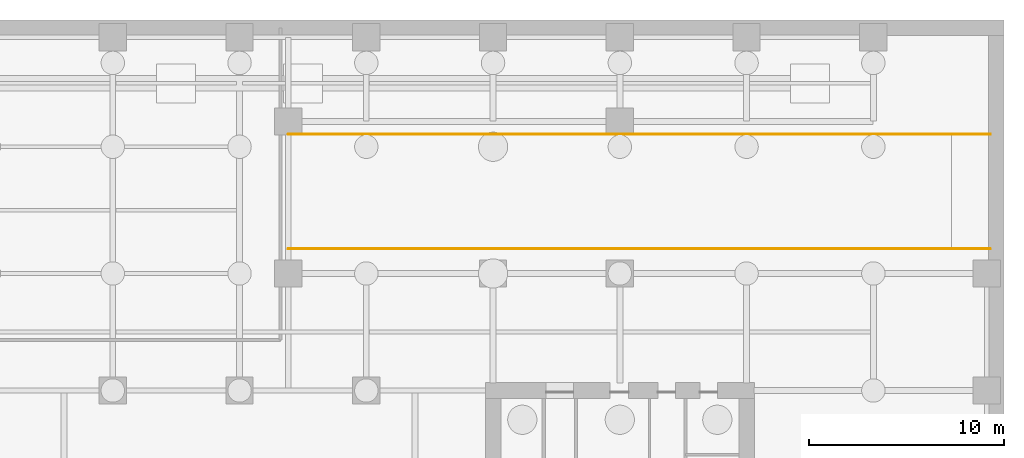
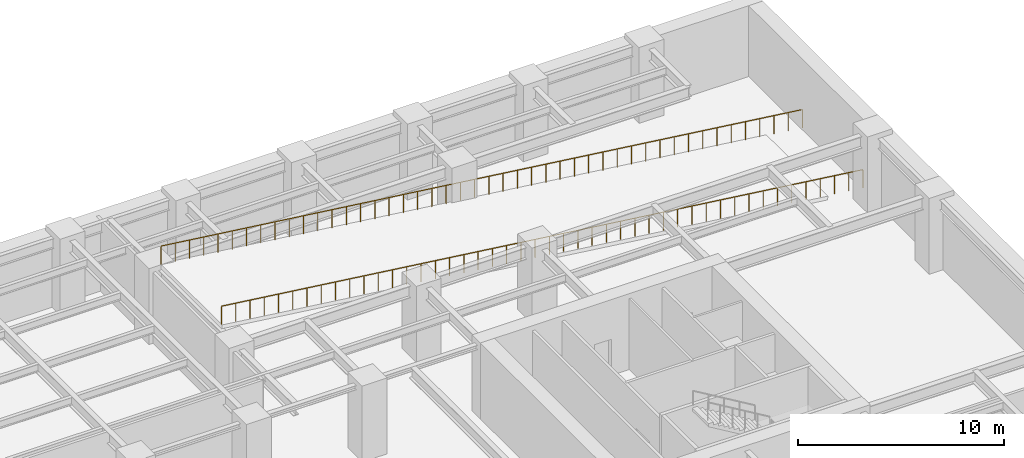
# One storey, part 10 of 11: 2 railings.
"""IFC4 building model written with IfcOpenShell, lengths in metres."""

from ifc_helpers import new_model, si_unit, direction, frame, origin, origin_2d, place, context, subcontext, project, spatial, circle, extrude, material, type_object, element, save


model = new_model("IFC4")

# Units and contexts
model_context = context("Model", 3, precision=1e-05, world=origin(), true_north=direction((0.0, 1.0)))
body_context = subcontext(model_context, "Body", "Model", "MODEL_VIEW")
ifc_project = project(units=[si_unit("LENGTHUNIT", "METRE"), si_unit("AREAUNIT", "SQUARE_METRE"), si_unit("VOLUMEUNIT", "CUBIC_METRE"), si_unit("PLANEANGLEUNIT", "RADIAN"), si_unit("MASSUNIT", "GRAM", prefix="KILO")], contexts=[model_context])

# Site, building, storey
site_placement = place(None, origin())
site = spatial("IfcSite", under=ifc_project, at=site_placement, CompositionType="ELEMENT")
building_placement = place(site_placement, origin())
building = spatial("IfcBuilding", under=site, at=building_placement, Name="Putna Gate Headquarters", CompositionType="ELEMENT")
storey_placement = place(building_placement, frame((0.0, 0.0, -13.5)))
storey = spatial("IfcBuildingStorey", under=building, at=storey_placement, Name="B03", CompositionType="ELEMENT", Elevation=-13.5)

# Railings
ifc_material = material(Name="Powder-coated steel stair guardrail", Category="steel")
railing_type = type_object("IfcRailingType", Name="RAIL-STAIR-GUARD-1100", PredefinedType="GUARDRAIL", material=ifc_material)
railing_1_placement = place(storey_placement, frame((77.5, 40.260009765625, 0.0)))
element("IfcRailing", 1, at=railing_1_placement, inside=storey, type_object=railing_type, Name="B03 Sloped Vehicle Ramp Flight Guardrail S", PredefinedType="GUARDRAIL", context=body_context, shape_type="SweptSolid", body=[
    extrude(circle(Radius=0.02392578125, at=origin_2d()), frame((0.0, 0.0, 1.076171875), z_axis=(-0.992277876714, 0.0, 0.124034734589), x_axis=(0.0, -1.0, 0.0)), (0.0, 0.0, 1.0), 4.03125),
    extrude(circle(Radius=0.02392578125, at=origin_2d()), frame((-4.0, 0.0, 1.576171875), z_axis=(-0.992277876714, 0.0, 0.124034734589), x_axis=(0.0, -1.0, 0.0)), (0.0, 0.0, 1.0), 4.03125),
    extrude(circle(Radius=0.02392578125, at=origin_2d()), frame((-8.0, 0.0, 2.076171875), z_axis=(-0.992277876714, 0.0, 0.124034734589), x_axis=(0.0, -1.0, 0.0)), (0.0, 0.0, 1.0), 4.03125),
    extrude(circle(Radius=0.02392578125, at=origin_2d()), frame((-12.0, 0.0, 2.576171875), z_axis=(-0.992277876714, 0.0, 0.124034734589), x_axis=(0.0, -1.0, 0.0)), (0.0, 0.0, 1.0), 4.03125),
    extrude(circle(Radius=0.02392578125, at=origin_2d()), frame((-16.0, 0.0, 3.076171875), z_axis=(-0.992277876714, 0.0, 0.124034734589), x_axis=(0.0, -1.0, 0.0)), (0.0, 0.0, 1.0), 4.03125),
    extrude(circle(Radius=0.02392578125, at=origin_2d()), frame((-20.0, 0.0, 3.576171875), z_axis=(-0.992277876714, 0.0, 0.124034734589), x_axis=(0.0, -1.0, 0.0)), (0.0, 0.0, 1.0), 4.03125),
    extrude(circle(Radius=0.02392578125, at=origin_2d()), frame((-24.0, 0.0, 4.076171875), z_axis=(-0.992277876714, 0.0, 0.124034734589), x_axis=(0.0, -1.0, 0.0)), (0.0, 0.0, 1.0), 4.03125),
    extrude(circle(Radius=0.02392578125, at=origin_2d()), frame((-28.0, 0.0, 4.576171875), z_axis=(-0.992277876714, 0.0, 0.124034734589), x_axis=(0.0, -1.0, 0.0)), (0.0, 0.0, 1.0), 4.03125),
    extrude(circle(Radius=0.02392578125, at=origin_2d()), frame((-32.0, 0.0, 5.076171875), z_axis=(-0.992277876714, 0.0, 0.124034734589), x_axis=(0.0, -1.0, 0.0)), (0.0, 0.0, 1.0), 4.03125),
    extrude(circle(Radius=0.02099609375, at=origin_2d()), origin(), (0.0, 0.0, 1.0), 1.052001953125),
    extrude(circle(Radius=0.02099609375, at=origin_2d()), frame((-0.800048828125, 0.0, 0.10009765625)), (0.0, 0.0, 1.0), 1.052001953125),
    extrude(circle(Radius=0.02099609375, at=origin_2d()), frame((-1.60009765625, 0.0, 0.199951171875)), (0.0, 0.0, 1.0), 1.052001953125),
    extrude(circle(Radius=0.02099609375, at=origin_2d()), frame((-2.39990234375, 0.0, 0.300048828125)), (0.0, 0.0, 1.0), 1.052001953125),
    extrude(circle(Radius=0.02099609375, at=origin_2d()), frame((-3.199951171875, 0.0, 0.39990234375)), (0.0, 0.0, 1.0), 1.052001953125),
    extrude(circle(Radius=0.02099609375, at=origin_2d()), frame((-4.0, 0.0, 0.5)), (0.0, 0.0, 1.0), 1.052001953125),
    extrude(circle(Radius=0.02099609375, at=origin_2d()), frame((-4.800048828125, 0.0, 0.60009765625)), (0.0, 0.0, 1.0), 1.052001953125),
    extrude(circle(Radius=0.02099609375, at=origin_2d()), frame((-5.60009765625, 0.0, 0.699951171875)), (0.0, 0.0, 1.0), 1.052001953125),
    extrude(circle(Radius=0.02099609375, at=origin_2d()), frame((-6.39990234375, 0.0, 0.800048828125)), (0.0, 0.0, 1.0), 1.052001953125),
    extrude(circle(Radius=0.02099609375, at=origin_2d()), frame((-7.199951171875, 0.0, 0.89990234375)), (0.0, 0.0, 1.0), 1.052001953125),
    extrude(circle(Radius=0.02099609375, at=origin_2d()), frame((-8.0, 0.0, 1.0)), (0.0, 0.0, 1.0), 1.052001953125),
    extrude(circle(Radius=0.02099609375, at=origin_2d()), frame((-8.800048828125, 0.0, 1.10009765625)), (0.0, 0.0, 1.0), 1.052001953125),
    extrude(circle(Radius=0.02099609375, at=origin_2d()), frame((-9.60009765625, 0.0, 1.199951171875)), (0.0, 0.0, 1.0), 1.052001953125),
    extrude(circle(Radius=0.02099609375, at=origin_2d()), frame((-10.39990234375, 0.0, 1.300048828125)), (0.0, 0.0, 1.0), 1.052001953125),
    extrude(circle(Radius=0.02099609375, at=origin_2d()), frame((-11.199951171875, 0.0, 1.39990234375)), (0.0, 0.0, 1.0), 1.052001953125),
    extrude(circle(Radius=0.02099609375, at=origin_2d()), frame((-12.0, 0.0, 1.5)), (0.0, 0.0, 1.0), 1.052001953125),
    extrude(circle(Radius=0.02099609375, at=origin_2d()), frame((-12.800048828125, 0.0, 1.60009765625)), (0.0, 0.0, 1.0), 1.052001953125),
    extrude(circle(Radius=0.02099609375, at=origin_2d()), frame((-13.60009765625, 0.0, 1.699951171875)), (0.0, 0.0, 1.0), 1.052001953125),
    extrude(circle(Radius=0.02099609375, at=origin_2d()), frame((-14.39990234375, 0.0, 1.800048828125)), (0.0, 0.0, 1.0), 1.052001953125),
    extrude(circle(Radius=0.02099609375, at=origin_2d()), frame((-15.199951171875, 0.0, 1.89990234375)), (0.0, 0.0, 1.0), 1.052001953125),
    extrude(circle(Radius=0.02099609375, at=origin_2d()), frame((-16.0, 0.0, 2.0)), (0.0, 0.0, 1.0), 1.052001953125),
    extrude(circle(Radius=0.02099609375, at=origin_2d()), frame((-16.800048828125, 0.0, 2.10009765625)), (0.0, 0.0, 1.0), 1.052001953125),
    extrude(circle(Radius=0.02099609375, at=origin_2d()), frame((-17.60009765625, 0.0, 2.199951171875)), (0.0, 0.0, 1.0), 1.052001953125),
    extrude(circle(Radius=0.02099609375, at=origin_2d()), frame((-18.39990234375, 0.0, 2.300048828125)), (0.0, 0.0, 1.0), 1.052001953125),
    extrude(circle(Radius=0.02099609375, at=origin_2d()), frame((-19.199951171875, 0.0, 2.39990234375)), (0.0, 0.0, 1.0), 1.052001953125),
    extrude(circle(Radius=0.02099609375, at=origin_2d()), frame((-20.0, 0.0, 2.5)), (0.0, 0.0, 1.0), 1.052001953125),
    extrude(circle(Radius=0.02099609375, at=origin_2d()), frame((-20.800048828125, 0.0, 2.60009765625)), (0.0, 0.0, 1.0), 1.052001953125),
    extrude(circle(Radius=0.02099609375, at=origin_2d()), frame((-21.60009765625, 0.0, 2.699951171875)), (0.0, 0.0, 1.0), 1.052001953125),
    extrude(circle(Radius=0.02099609375, at=origin_2d()), frame((-22.39990234375, 0.0, 2.800048828125)), (0.0, 0.0, 1.0), 1.052001953125),
    extrude(circle(Radius=0.02099609375, at=origin_2d()), frame((-23.199951171875, 0.0, 2.89990234375)), (0.0, 0.0, 1.0), 1.052001953125),
    extrude(circle(Radius=0.02099609375, at=origin_2d()), frame((-24.0, 0.0, 3.0)), (0.0, 0.0, 1.0), 1.052001953125),
    extrude(circle(Radius=0.02099609375, at=origin_2d()), frame((-24.800048828125, 0.0, 3.10009765625)), (0.0, 0.0, 1.0), 1.052001953125),
    extrude(circle(Radius=0.02099609375, at=origin_2d()), frame((-25.60009765625, 0.0, 3.199951171875)), (0.0, 0.0, 1.0), 1.052001953125),
    extrude(circle(Radius=0.02099609375, at=origin_2d()), frame((-26.39990234375, 0.0, 3.300048828125)), (0.0, 0.0, 1.0), 1.052001953125),
    extrude(circle(Radius=0.02099609375, at=origin_2d()), frame((-27.199951171875, 0.0, 3.39990234375)), (0.0, 0.0, 1.0), 1.052001953125),
    extrude(circle(Radius=0.02099609375, at=origin_2d()), frame((-28.0, 0.0, 3.5)), (0.0, 0.0, 1.0), 1.052001953125),
    extrude(circle(Radius=0.02099609375, at=origin_2d()), frame((-28.800048828125, 0.0, 3.60009765625)), (0.0, 0.0, 1.0), 1.052001953125),
    extrude(circle(Radius=0.02099609375, at=origin_2d()), frame((-29.60009765625, 0.0, 3.699951171875)), (0.0, 0.0, 1.0), 1.052001953125),
    extrude(circle(Radius=0.02099609375, at=origin_2d()), frame((-30.39990234375, 0.0, 3.800048828125)), (0.0, 0.0, 1.0), 1.052001953125),
    extrude(circle(Radius=0.02099609375, at=origin_2d()), frame((-31.199951171875, 0.0, 3.89990234375)), (0.0, 0.0, 1.0), 1.052001953125),
    extrude(circle(Radius=0.02099609375, at=origin_2d()), frame((-32.0, 0.0, 4.0)), (0.0, 0.0, 1.0), 1.052001953125),
    extrude(circle(Radius=0.02099609375, at=origin_2d()), frame((-32.800048828125, 0.0, 4.10009765625)), (0.0, 0.0, 1.0), 1.052001953125),
    extrude(circle(Radius=0.02099609375, at=origin_2d()), frame((-33.60009765625, 0.0, 4.199951171875)), (0.0, 0.0, 1.0), 1.052001953125),
    extrude(circle(Radius=0.02099609375, at=origin_2d()), frame((-34.39990234375, 0.0, 4.300048828125)), (0.0, 0.0, 1.0), 1.052001953125),
    extrude(circle(Radius=0.02099609375, at=origin_2d()), frame((-35.199951171875, 0.0, 4.39990234375)), (0.0, 0.0, 1.0), 1.052001953125),
    extrude(circle(Radius=0.02099609375, at=origin_2d()), frame((-36.0, 0.0, 4.5)), (0.0, 0.0, 1.0), 1.052001953125),
])
railing_2_placement = place(storey_placement, frame((77.5, 46.139892578125, 0.0)))
element("IfcRailing", 2, at=railing_2_placement, inside=storey, type_object=railing_type, Name="B03 Sloped Vehicle Ramp Flight Guardrail N", PredefinedType="GUARDRAIL", context=body_context, shape_type="SweptSolid", body=[
    extrude(circle(Radius=0.02392578125, at=origin_2d()), frame((0.0, 0.0, 1.076171875), z_axis=(-0.992277876714, 0.0, 0.124034734589), x_axis=(0.0, -1.0, 0.0)), (0.0, 0.0, 1.0), 4.03125),
    extrude(circle(Radius=0.02392578125, at=origin_2d()), frame((-4.0, 0.0, 1.576171875), z_axis=(-0.992277876714, 0.0, 0.124034734589), x_axis=(0.0, -1.0, 0.0)), (0.0, 0.0, 1.0), 4.03125),
    extrude(circle(Radius=0.02392578125, at=origin_2d()), frame((-8.0, 0.0, 2.076171875), z_axis=(-0.992277876714, 0.0, 0.124034734589), x_axis=(0.0, -1.0, 0.0)), (0.0, 0.0, 1.0), 4.03125),
    extrude(circle(Radius=0.02392578125, at=origin_2d()), frame((-12.0, 0.0, 2.576171875), z_axis=(-0.992277876714, 0.0, 0.124034734589), x_axis=(0.0, -1.0, 0.0)), (0.0, 0.0, 1.0), 4.03125),
    extrude(circle(Radius=0.02392578125, at=origin_2d()), frame((-16.0, 0.0, 3.076171875), z_axis=(-0.992277876714, 0.0, 0.124034734589), x_axis=(0.0, -1.0, 0.0)), (0.0, 0.0, 1.0), 4.03125),
    extrude(circle(Radius=0.02392578125, at=origin_2d()), frame((-20.0, 0.0, 3.576171875), z_axis=(-0.992277876714, 0.0, 0.124034734589), x_axis=(0.0, -1.0, 0.0)), (0.0, 0.0, 1.0), 4.03125),
    extrude(circle(Radius=0.02392578125, at=origin_2d()), frame((-24.0, 0.0, 4.076171875), z_axis=(-0.992277876714, 0.0, 0.124034734589), x_axis=(0.0, -1.0, 0.0)), (0.0, 0.0, 1.0), 4.03125),
    extrude(circle(Radius=0.02392578125, at=origin_2d()), frame((-28.0, 0.0, 4.576171875), z_axis=(-0.992277876714, 0.0, 0.124034734589), x_axis=(0.0, -1.0, 0.0)), (0.0, 0.0, 1.0), 4.03125),
    extrude(circle(Radius=0.02392578125, at=origin_2d()), frame((-32.0, 0.0, 5.076171875), z_axis=(-0.992277876714, 0.0, 0.124034734589), x_axis=(0.0, -1.0, 0.0)), (0.0, 0.0, 1.0), 4.03125),
    extrude(circle(Radius=0.02099609375, at=origin_2d()), origin(), (0.0, 0.0, 1.0), 1.052001953125),
    extrude(circle(Radius=0.02099609375, at=origin_2d()), frame((-0.800048828125, 0.0, 0.10009765625)), (0.0, 0.0, 1.0), 1.052001953125),
    extrude(circle(Radius=0.02099609375, at=origin_2d()), frame((-1.60009765625, 0.0, 0.199951171875)), (0.0, 0.0, 1.0), 1.052001953125),
    extrude(circle(Radius=0.02099609375, at=origin_2d()), frame((-2.39990234375, 0.0, 0.300048828125)), (0.0, 0.0, 1.0), 1.052001953125),
    extrude(circle(Radius=0.02099609375, at=origin_2d()), frame((-3.199951171875, 0.0, 0.39990234375)), (0.0, 0.0, 1.0), 1.052001953125),
    extrude(circle(Radius=0.02099609375, at=origin_2d()), frame((-4.0, 0.0, 0.5)), (0.0, 0.0, 1.0), 1.052001953125),
    extrude(circle(Radius=0.02099609375, at=origin_2d()), frame((-4.800048828125, 0.0, 0.60009765625)), (0.0, 0.0, 1.0), 1.052001953125),
    extrude(circle(Radius=0.02099609375, at=origin_2d()), frame((-5.60009765625, 0.0, 0.699951171875)), (0.0, 0.0, 1.0), 1.052001953125),
    extrude(circle(Radius=0.02099609375, at=origin_2d()), frame((-6.39990234375, 0.0, 0.800048828125)), (0.0, 0.0, 1.0), 1.052001953125),
    extrude(circle(Radius=0.02099609375, at=origin_2d()), frame((-7.199951171875, 0.0, 0.89990234375)), (0.0, 0.0, 1.0), 1.052001953125),
    extrude(circle(Radius=0.02099609375, at=origin_2d()), frame((-8.0, 0.0, 1.0)), (0.0, 0.0, 1.0), 1.052001953125),
    extrude(circle(Radius=0.02099609375, at=origin_2d()), frame((-8.800048828125, 0.0, 1.10009765625)), (0.0, 0.0, 1.0), 1.052001953125),
    extrude(circle(Radius=0.02099609375, at=origin_2d()), frame((-9.60009765625, 0.0, 1.199951171875)), (0.0, 0.0, 1.0), 1.052001953125),
    extrude(circle(Radius=0.02099609375, at=origin_2d()), frame((-10.39990234375, 0.0, 1.300048828125)), (0.0, 0.0, 1.0), 1.052001953125),
    extrude(circle(Radius=0.02099609375, at=origin_2d()), frame((-11.199951171875, 0.0, 1.39990234375)), (0.0, 0.0, 1.0), 1.052001953125),
    extrude(circle(Radius=0.02099609375, at=origin_2d()), frame((-12.0, 0.0, 1.5)), (0.0, 0.0, 1.0), 1.052001953125),
    extrude(circle(Radius=0.02099609375, at=origin_2d()), frame((-12.800048828125, 0.0, 1.60009765625)), (0.0, 0.0, 1.0), 1.052001953125),
    extrude(circle(Radius=0.02099609375, at=origin_2d()), frame((-13.60009765625, 0.0, 1.699951171875)), (0.0, 0.0, 1.0), 1.052001953125),
    extrude(circle(Radius=0.02099609375, at=origin_2d()), frame((-14.39990234375, 0.0, 1.800048828125)), (0.0, 0.0, 1.0), 1.052001953125),
    extrude(circle(Radius=0.02099609375, at=origin_2d()), frame((-15.199951171875, 0.0, 1.89990234375)), (0.0, 0.0, 1.0), 1.052001953125),
    extrude(circle(Radius=0.02099609375, at=origin_2d()), frame((-16.0, 0.0, 2.0)), (0.0, 0.0, 1.0), 1.052001953125),
    extrude(circle(Radius=0.02099609375, at=origin_2d()), frame((-16.800048828125, 0.0, 2.10009765625)), (0.0, 0.0, 1.0), 1.052001953125),
    extrude(circle(Radius=0.02099609375, at=origin_2d()), frame((-17.60009765625, 0.0, 2.199951171875)), (0.0, 0.0, 1.0), 1.052001953125),
    extrude(circle(Radius=0.02099609375, at=origin_2d()), frame((-18.39990234375, 0.0, 2.300048828125)), (0.0, 0.0, 1.0), 1.052001953125),
    extrude(circle(Radius=0.02099609375, at=origin_2d()), frame((-19.199951171875, 0.0, 2.39990234375)), (0.0, 0.0, 1.0), 1.052001953125),
    extrude(circle(Radius=0.02099609375, at=origin_2d()), frame((-20.0, 0.0, 2.5)), (0.0, 0.0, 1.0), 1.052001953125),
    extrude(circle(Radius=0.02099609375, at=origin_2d()), frame((-20.800048828125, 0.0, 2.60009765625)), (0.0, 0.0, 1.0), 1.052001953125),
    extrude(circle(Radius=0.02099609375, at=origin_2d()), frame((-21.60009765625, 0.0, 2.699951171875)), (0.0, 0.0, 1.0), 1.052001953125),
    extrude(circle(Radius=0.02099609375, at=origin_2d()), frame((-22.39990234375, 0.0, 2.800048828125)), (0.0, 0.0, 1.0), 1.052001953125),
    extrude(circle(Radius=0.02099609375, at=origin_2d()), frame((-23.199951171875, 0.0, 2.89990234375)), (0.0, 0.0, 1.0), 1.052001953125),
    extrude(circle(Radius=0.02099609375, at=origin_2d()), frame((-24.0, 0.0, 3.0)), (0.0, 0.0, 1.0), 1.052001953125),
    extrude(circle(Radius=0.02099609375, at=origin_2d()), frame((-24.800048828125, 0.0, 3.10009765625)), (0.0, 0.0, 1.0), 1.052001953125),
    extrude(circle(Radius=0.02099609375, at=origin_2d()), frame((-25.60009765625, 0.0, 3.199951171875)), (0.0, 0.0, 1.0), 1.052001953125),
    extrude(circle(Radius=0.02099609375, at=origin_2d()), frame((-26.39990234375, 0.0, 3.300048828125)), (0.0, 0.0, 1.0), 1.052001953125),
    extrude(circle(Radius=0.02099609375, at=origin_2d()), frame((-27.199951171875, 0.0, 3.39990234375)), (0.0, 0.0, 1.0), 1.052001953125),
    extrude(circle(Radius=0.02099609375, at=origin_2d()), frame((-28.0, 0.0, 3.5)), (0.0, 0.0, 1.0), 1.052001953125),
    extrude(circle(Radius=0.02099609375, at=origin_2d()), frame((-28.800048828125, 0.0, 3.60009765625)), (0.0, 0.0, 1.0), 1.052001953125),
    extrude(circle(Radius=0.02099609375, at=origin_2d()), frame((-29.60009765625, 0.0, 3.699951171875)), (0.0, 0.0, 1.0), 1.052001953125),
    extrude(circle(Radius=0.02099609375, at=origin_2d()), frame((-30.39990234375, 0.0, 3.800048828125)), (0.0, 0.0, 1.0), 1.052001953125),
    extrude(circle(Radius=0.02099609375, at=origin_2d()), frame((-31.199951171875, 0.0, 3.89990234375)), (0.0, 0.0, 1.0), 1.052001953125),
    extrude(circle(Radius=0.02099609375, at=origin_2d()), frame((-32.0, 0.0, 4.0)), (0.0, 0.0, 1.0), 1.052001953125),
    extrude(circle(Radius=0.02099609375, at=origin_2d()), frame((-32.800048828125, 0.0, 4.10009765625)), (0.0, 0.0, 1.0), 1.052001953125),
    extrude(circle(Radius=0.02099609375, at=origin_2d()), frame((-33.60009765625, 0.0, 4.199951171875)), (0.0, 0.0, 1.0), 1.052001953125),
    extrude(circle(Radius=0.02099609375, at=origin_2d()), frame((-34.39990234375, 0.0, 4.300048828125)), (0.0, 0.0, 1.0), 1.052001953125),
    extrude(circle(Radius=0.02099609375, at=origin_2d()), frame((-35.199951171875, 0.0, 4.39990234375)), (0.0, 0.0, 1.0), 1.052001953125),
    extrude(circle(Radius=0.02099609375, at=origin_2d()), frame((-36.0, 0.0, 4.5)), (0.0, 0.0, 1.0), 1.052001953125),
])

save(model, "model.ifc")
